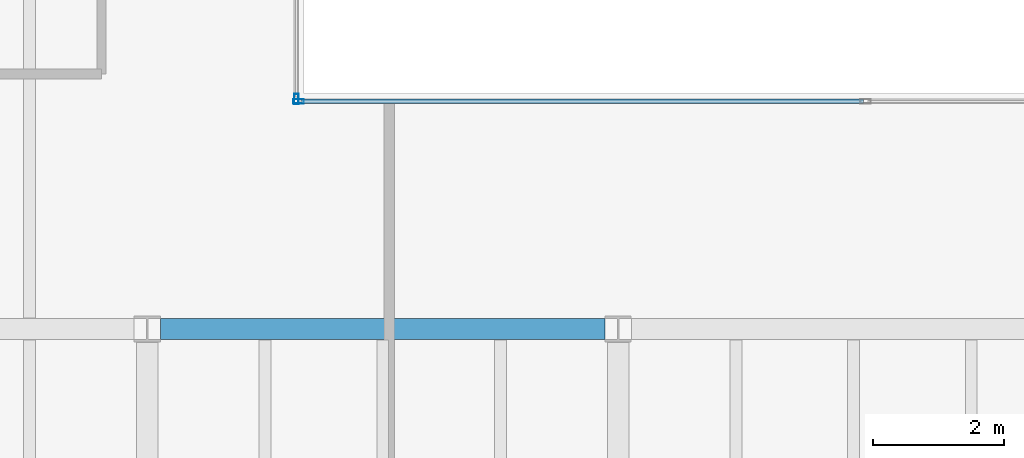
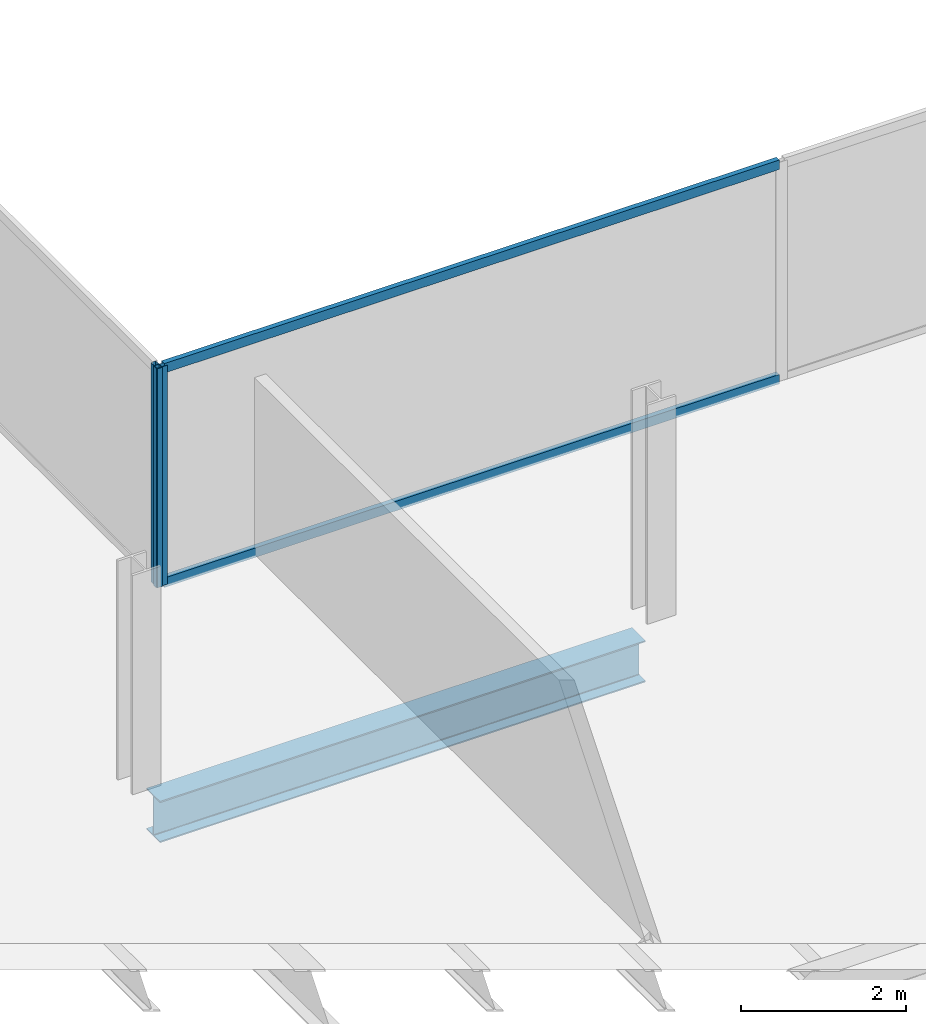
# One storey, part 8 of 23: 4 members, 1 beam, 2 elements without a shape of their own.
"""IFC4 building model written with IfcOpenShell, lengths in metres."""

from ifc_helpers import new_model, si_unit, direction, frame, origin, origin_2d, place, context, subcontext, project, spatial, hollow_rectangle, i_section, extrude, material, material_profile, profile_set, type_object, element, aggregate, save


model = new_model("IFC4")

# Units and contexts
model_context = context("Model", 3, precision=1e-05, world=origin(), true_north=direction((0.0, 1.0)))
body_context = subcontext(model_context, "Body", "Model", "MODEL_VIEW")
ifc_project = project(units=[si_unit("LENGTHUNIT", "METRE"), si_unit("AREAUNIT", "SQUARE_METRE"), si_unit("VOLUMEUNIT", "CUBIC_METRE"), si_unit("PLANEANGLEUNIT", "RADIAN"), si_unit("MASSUNIT", "GRAM", prefix="KILO")], contexts=[model_context])

# Site, building, storey
site_placement = place(None, origin())
site = spatial("IfcSite", under=ifc_project, at=site_placement, CompositionType="ELEMENT")
building_placement = place(site_placement, origin())
building = spatial("IfcBuilding", under=site, at=building_placement, Name="Cobrela Telecom Tower", CompositionType="ELEMENT")
storey_placement = place(building_placement, frame((0.0, 0.0, 204.75)))
storey = spatial("IfcBuildingStorey", under=building, at=storey_placement, Name="L52", CompositionType="ELEMENT", Elevation=204.75)

# Beam
ifc_material_1 = material(Name="Steel ASTM A992 Grade 50", Category="steel")
ifc_material_profile_1 = material_profile(ifc_material_1, i_section(OverallWidth=0.324951171875, OverallDepth=0.612060546875, WebThickness=0.0126953125, FlangeThickness=0.01904296875, FilletRadius=0.014892578125, at=origin_2d()), Name="W24X104")
ifc_profile_set_1 = profile_set([ifc_material_profile_1], Name="Steel ASTM A992 Grade 50")
beam_type = type_object("IfcBeamType", Name="BM-GIRD-07", PredefinedType="USERDEFINED", material=ifc_profile_set_1)
beam_placement = place(storey_placement, frame((21.804443359375, 21.60009765625, -0.56591796875), z_axis=(1.0, 0.0, 0.0), x_axis=(0.0, 1.0, 0.0)))
element("IfcBeam", 1, at=beam_placement, inside=storey, type_object=beam_type, Name="L52 Primary Girder X16", ObjectType="GIRDER", PredefinedType="USERDEFINED", context=body_context, shape_type="SweptSolid", body=[
    extrude(i_section(OverallWidth=0.324951171875, OverallDepth=0.612060546875, WebThickness=0.0126953125, FlangeThickness=0.01904296875, FilletRadius=0.014892578125, at=origin_2d()), origin(), (0.0, 0.0, 1.0), 6.791015625),
])

# Curtain wall, member
ifc_material_2 = material(Name="Anodized Bronze Aluminium 6063-T6", Category="aluminium")
curtain_wall_type = type_object("IfcCurtainWallType", Name="CW-SYS-OFF-LO", PredefinedType="USERDEFINED", material=ifc_material_2)
curtain_wall_1_placement = place(storey_placement, origin())
curtain_wall_1 = element("IfcCurtainWall", 2, at=curtain_wall_1_placement, inside=storey, type_object=curtain_wall_type, Name="L52 Unitised Bronze Curtain Wall 10", ObjectType="UNITISED CURTAIN WALL", PredefinedType="USERDEFINED")
ifc_material_profile_2 = material_profile(ifc_material_2, hollow_rectangle(XDim=0.070068359375, YDim=0.159912109375, WallThickness=0.00390625, at=origin_2d()), Name="ALU 70x160x4")
ifc_profile_set_2 = profile_set([ifc_material_profile_2], Name="Anodized Bronze Aluminium 6063-T6")
member_type_1 = type_object("IfcMemberType", Name="CW-SYS-OFF-LO-MUL", PredefinedType="MULLION", material=ifc_profile_set_2)
member_1_placement = place(storey_placement, frame((23.8798828125, 25.114990234375, 0.0), z_axis=(0.0, 0.0, 1.0), x_axis=(1.0, 0.0, 0.0)))
member_1 = element("IfcMember", 3, at=member_1_placement, type_object=member_type_1, Name="CW-OFF-LO mullion 3", PredefinedType="MULLION", context=body_context, shape_type="SweptSolid", body=[
    extrude(hollow_rectangle(XDim=0.070068359375, YDim=0.159912109375, WallThickness=0.00390625, at=origin_2d()), origin(), (0.0, 0.0, 1.0), 3.239990234375),
])
aggregate(curtain_wall_1, [member_1])

# Curtain wall, members
curtain_wall_2_placement = place(storey_placement, origin())
curtain_wall_2 = element("IfcCurtainWall", 4, at=curtain_wall_2_placement, inside=storey, type_object=curtain_wall_type, Name="L52 Unitised Bronze Curtain Wall 11", ObjectType="UNITISED CURTAIN WALL", PredefinedType="USERDEFINED")
member_2_placement = place(storey_placement, frame((23.9150390625, 25.080078125, 0.0), z_axis=(0.0, 0.0, 1.0), x_axis=(0.0, 1.0, 0.0)))
member_2 = element("IfcMember", 5, at=member_2_placement, type_object=member_type_1, Name="CW-OFF-LO mullion 1", PredefinedType="MULLION", context=body_context, shape_type="SweptSolid", body=[
    extrude(hollow_rectangle(XDim=0.070068359375, YDim=0.159912109375, WallThickness=0.00390625, at=origin_2d()), origin(), (0.0, 0.0, 1.0), 3.239990234375),
])
ifc_material_profile_3 = material_profile(ifc_material_2, hollow_rectangle(XDim=0.070068359375, YDim=0.139892578125, WallThickness=0.00390625, at=origin_2d()), Name="ALU 70x140x4")
ifc_profile_set_3 = profile_set([ifc_material_profile_3], Name="Anodized Bronze Aluminium 6063-T6")
member_type_2 = type_object("IfcMemberType", Name="CW-SYS-OFF-LO-TRN", PredefinedType="USERDEFINED", material=ifc_profile_set_3)
member_3_placement = place(storey_placement, frame((23.949951171875, 25.080078125, 0.034912109375), z_axis=(1.0, 0.0, 0.0), x_axis=(0.0, 1.0, 0.0)))
member_3 = element("IfcMember", 6, at=member_3_placement, type_object=member_type_2, Name="CW-OFF-LO transom 1.1", ObjectType="TRANSOM", PredefinedType="USERDEFINED", context=body_context, shape_type="SweptSolid", body=[
    extrude(hollow_rectangle(XDim=0.070068359375, YDim=0.139892578125, WallThickness=0.00390625, at=origin_2d()), origin(), (0.0, 0.0, 1.0), 8.60009765625),
])
member_4_placement = place(storey_placement, frame((23.949951171875, 25.080078125, 3.205078125), z_axis=(1.0, 0.0, 0.0), x_axis=(0.0, 1.0, 0.0)))
member_4 = element("IfcMember", 7, at=member_4_placement, type_object=member_type_2, Name="CW-OFF-LO transom 1.2", ObjectType="TRANSOM", PredefinedType="USERDEFINED", context=body_context, shape_type="SweptSolid", body=[
    extrude(hollow_rectangle(XDim=0.070068359375, YDim=0.139892578125, WallThickness=0.00390625, at=origin_2d()), origin(), (0.0, 0.0, 1.0), 8.60009765625),
])
aggregate(curtain_wall_2, [member_2, member_3, member_4])

save(model, "model.ifc")
